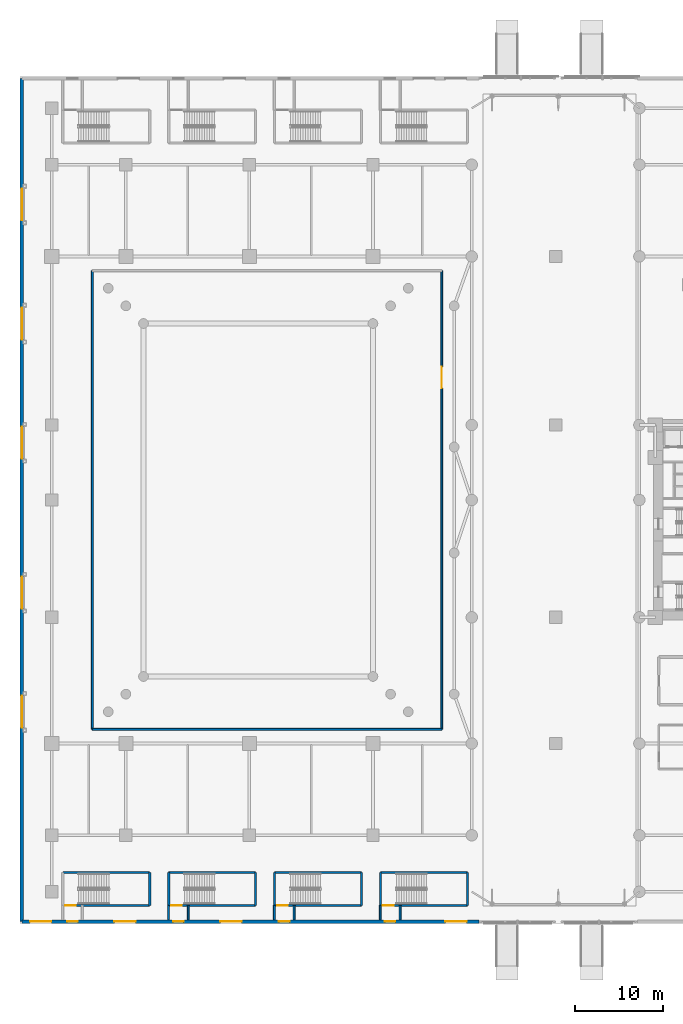
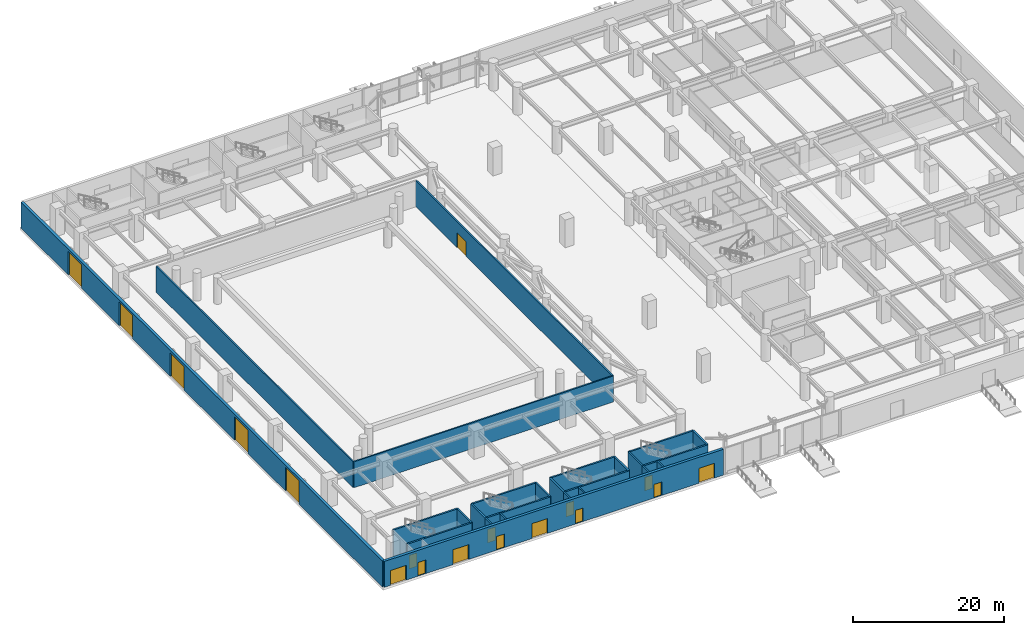
# One storey, part 21 of 42: 26 walls, 18 doors, 18 openings.
"""IFC4 building model written with IfcOpenShell, lengths in metres."""

from ifc_helpers import new_model, si_unit, direction, frame, frame_2d, origin, place, context, subcontext, project, spatial, rectangle, extrude, material, layer, layer_set, type_object, element, fill, save


model = new_model("IFC4")

# Units and contexts
model_context = context("Model", 3, precision=1e-05, world=origin(), true_north=direction((0.0, 1.0)))
body_context = subcontext(model_context, "Body", "Model", "MODEL_VIEW")
ifc_project = project(units=[si_unit("LENGTHUNIT", "METRE"), si_unit("AREAUNIT", "SQUARE_METRE"), si_unit("VOLUMEUNIT", "CUBIC_METRE"), si_unit("PLANEANGLEUNIT", "RADIAN"), si_unit("MASSUNIT", "GRAM", prefix="KILO")], contexts=[model_context])

# Site, building, storey
site_placement = place(None, origin())
site = spatial("IfcSite", under=ifc_project, at=site_placement, CompositionType="ELEMENT")
building_placement = place(site_placement, origin())
building = spatial("IfcBuilding", under=site, at=building_placement, Name="Narakoshi Arena Tower", CompositionType="ELEMENT")
storey_placement = place(building_placement, origin())
storey = spatial("IfcBuildingStorey", under=building, at=storey_placement, Name="L00", CompositionType="ELEMENT", Elevation=0.0)

# Wall
ifc_material_1 = material(Name="Concrete C40/50", Category="concrete")
ifc_layer_1 = layer(ifc_material_1, 0.219970703125)
ifc_layer_set_1 = layer_set([ifc_layer_1], Name="Concrete C40/50")
wall_type_1 = type_object("IfcWallType", Name="WL-COMP-220", PredefinedType="SOLIDWALL", material=ifc_layer_set_1)
wall_1_placement = place(storey_placement, frame((8.199951171875, 22.0, 0.0), z_axis=(0.0, 0.0, 1.0), x_axis=(1.0, 0.0, 0.0)))
element("IfcWall", 1, at=wall_1_placement, inside=storey, type_object=wall_type_1, Name="L00 Arena Grand Foyer Wall S", PredefinedType="SOLIDWALL", context=body_context, shape_type="SweptSolid", body=[
    extrude(rectangle(XDim=39.60009765625, YDim=0.219970703125, at=frame_2d((19.800048828125, 0.0))), origin(), (0.0, 0.0, 1.0), 4.179931640625),
])

# Wall, opening, door
wall_2_placement = place(storey_placement, frame((47.800048828125, 22.0, 0.0), z_axis=(0.0, 0.0, 1.0), x_axis=(0.0, 1.0, 0.0)))
wall_2 = element("IfcWall", 2, at=wall_2_placement, inside=storey, type_object=wall_type_1, Name="L00 Arena Grand Foyer Wall E", PredefinedType="SOLIDWALL", context=body_context, shape_type="SweptSolid", body=[
    extrude(rectangle(XDim=52.0, YDim=0.219970703125, at=frame_2d((26.0, 0.0))), origin(), (0.0, 0.0, 1.0), 4.179931640625),
])
opening_1_placement = place(wall_2_placement, frame((38.68798828125, 0.0, 0.0)))
opening_1 = element("IfcOpeningElement", 3, at=opening_1_placement, cuts=wall_2, Name="Opening D-02", PredefinedType="OPENING", context=body_context, shape_type="SweptSolid", body=[
    extrude(rectangle(XDim=2.39990234375, YDim=2.39990234375, at=frame_2d((1.199951171875, 1.199951171875))), frame((0.0, 0.119873046875, 0.0), z_axis=(0.0, -1.0, 0.0), x_axis=(1.0, 0.0, 0.0)), (0.0, 0.0, 1.0), 0.239990234375),
])
ifc_material_2 = material(Name="Painted galvanized steel", Category="steel")
door_type_1 = type_object("IfcDoorType", Name="DR-ARN-2400", OperationType="DOUBLE_DOOR_SINGLE_SWING", PredefinedType="USERDEFINED", material=ifc_material_2)
door_1_placement = place(opening_1_placement, frame((2.39990234375, 0.0, 0.0), z_axis=(0.0, 0.0, 1.0), x_axis=(-1.0, 0.0, 0.0)))
door_1 = element("IfcDoor", 4, at=door_1_placement, inside=storey, type_object=door_type_1, Name="DR-L00-056", ObjectType="EXITDOOR", OperationType="DOUBLE_DOOR_SINGLE_SWING", OverallHeight=2.39990234375, OverallWidth=2.39990234375, PredefinedType="USERDEFINED", context=body_context, shape_type="SweptSolid", body=[
    extrude(rectangle(XDim=2.39990234375, YDim=2.39990234375, at=frame_2d((1.199951171875, 1.199951171875))), frame((0.0, 0.02490234375, 0.0), z_axis=(0.0, -1.0, 0.0), x_axis=(1.0, 0.0, 0.0)), (0.0, 0.0, 1.0), 0.050048828125),
])
fill(opening_1, door_1)

# Wall
wall_3_placement = place(storey_placement, frame((8.199951171875, 74.0, 0.0), z_axis=(0.0, 0.0, 1.0), x_axis=(0.0, -1.0, 0.0)))
element("IfcWall", 5, at=wall_3_placement, inside=storey, type_object=wall_type_1, Name="L00 Arena Grand Foyer Wall W", PredefinedType="SOLIDWALL", context=body_context, shape_type="SweptSolid", body=[
    extrude(rectangle(XDim=52.0, YDim=0.219970703125, at=frame_2d((26.0, 0.0))), origin(), (0.0, 0.0, 1.0), 4.179931640625),
])

# Wall, openings, doors
ifc_material_3 = material(Name="Precast concrete C45/55", Category="concrete")
ifc_layer_2 = layer(ifc_material_3, 0.419921875)
ifc_layer_set_2 = layer_set([ifc_layer_2], Name="Precast concrete C45/55")
wall_type_2 = type_object("IfcWallType", Name="WL-POD-420", PredefinedType="SOLIDWALL", material=ifc_layer_set_2)
wall_4_placement = place(storey_placement, frame((0.2099609375, 0.2099609375, 0.0), z_axis=(0.0, 0.0, 1.0), x_axis=(1.0, 0.0, 0.0)))
wall_4 = element("IfcWall", 6, at=wall_4_placement, inside=storey, type_object=wall_type_2, Name="L00 Podium Precast Facade Wall SW", PredefinedType="SOLIDWALL", context=body_context, shape_type="SweptSolid", body=[
    extrude(rectangle(XDim=51.7900390625, YDim=0.419921875, at=frame_2d((25.89501953125, 0.0))), origin(), (0.0, 0.0, 1.0), 4.179931640625),
])
opening_2_placement = place(wall_4_placement, frame((0.949951171875, 0.0, 0.0)))
opening_2 = element("IfcOpeningElement", 7, at=opening_2_placement, cuts=wall_4, Name="Opening D-02", PredefinedType="OPENING", context=body_context, shape_type="SweptSolid", body=[
    extrude(rectangle(XDim=2.39990234375, YDim=2.39990234375, at=frame_2d((1.199951171875, 1.199951171875))), frame((0.0, 0.219970703125, 0.0), z_axis=(0.0, -1.0, 0.0), x_axis=(1.0, 0.0, 0.0)), (0.0, 0.0, 1.0), 0.43994140625),
])
opening_3_placement = place(wall_4_placement, frame((10.5, 0.0, 0.0)))
opening_3 = element("IfcOpeningElement", 8, at=opening_3_placement, cuts=wall_4, Name="Opening D-02", PredefinedType="OPENING", context=body_context, shape_type="SweptSolid", body=[
    extrude(rectangle(XDim=2.39990234375, YDim=2.39990234375, at=frame_2d((1.199951171875, 1.199951171875))), frame((0.0, 0.219970703125, 0.0), z_axis=(0.0, -1.0, 0.0), x_axis=(1.0, 0.0, 0.0)), (0.0, 0.0, 1.0), 0.43994140625),
])
opening_4_placement = place(wall_4_placement, frame((22.5, 0.0, 0.0)))
opening_4 = element("IfcOpeningElement", 9, at=opening_4_placement, cuts=wall_4, Name="Opening D-02", PredefinedType="OPENING", context=body_context, shape_type="SweptSolid", body=[
    extrude(rectangle(XDim=2.39990234375, YDim=2.39990234375, at=frame_2d((1.199951171875, 1.199951171875))), frame((0.0, 0.219970703125, 0.0), z_axis=(0.0, -1.0, 0.0), x_axis=(1.0, 0.0, 0.0)), (0.0, 0.0, 1.0), 0.43994140625),
])
opening_5_placement = place(wall_4_placement, frame((48.0, 0.0, 0.0)))
opening_5 = element("IfcOpeningElement", 10, at=opening_5_placement, cuts=wall_4, Name="Opening D-02", PredefinedType="OPENING", context=body_context, shape_type="SweptSolid", body=[
    extrude(rectangle(XDim=2.39990234375, YDim=2.39990234375, at=frame_2d((1.199951171875, 1.199951171875))), frame((0.0, 0.219970703125, 0.0), z_axis=(0.0, -1.0, 0.0), x_axis=(1.0, 0.0, 0.0)), (0.0, 0.0, 1.0), 0.43994140625),
])
opening_6_placement = place(wall_4_placement, frame((5.139892578125, 0.0, 0.0)))
opening_6 = element("IfcOpeningElement", 11, at=opening_6_placement, cuts=wall_4, Name="Opening D-03", PredefinedType="OPENING", context=body_context, shape_type="SweptSolid", body=[
    extrude(rectangle(XDim=1.199951171875, YDim=2.199951171875, at=frame_2d((0.60009765625, 1.10009765625))), frame((0.0, 0.219970703125, 0.0), z_axis=(0.0, -1.0, 0.0), x_axis=(1.0, 0.0, 0.0)), (0.0, 0.0, 1.0), 0.43994140625),
])
opening_7_placement = place(wall_4_placement, frame((17.139892578125, 0.0, 0.0)))
opening_7 = element("IfcOpeningElement", 12, at=opening_7_placement, cuts=wall_4, Name="Opening D-03", PredefinedType="OPENING", context=body_context, shape_type="SweptSolid", body=[
    extrude(rectangle(XDim=1.199951171875, YDim=2.199951171875, at=frame_2d((0.60009765625, 1.10009765625))), frame((0.0, 0.219970703125, 0.0), z_axis=(0.0, -1.0, 0.0), x_axis=(1.0, 0.0, 0.0)), (0.0, 0.0, 1.0), 0.43994140625),
])
opening_8_placement = place(wall_4_placement, frame((29.139892578125, 0.0, 0.0)))
opening_8 = element("IfcOpeningElement", 13, at=opening_8_placement, cuts=wall_4, Name="Opening D-03", PredefinedType="OPENING", context=body_context, shape_type="SweptSolid", body=[
    extrude(rectangle(XDim=1.199951171875, YDim=2.199951171875, at=frame_2d((0.60009765625, 1.10009765625))), frame((0.0, 0.219970703125, 0.0), z_axis=(0.0, -1.0, 0.0), x_axis=(1.0, 0.0, 0.0)), (0.0, 0.0, 1.0), 0.43994140625),
])
opening_9_placement = place(wall_4_placement, frame((41.139892578125, 0.0, 0.0)))
opening_9 = element("IfcOpeningElement", 14, at=opening_9_placement, cuts=wall_4, Name="Opening D-03", PredefinedType="OPENING", context=body_context, shape_type="SweptSolid", body=[
    extrude(rectangle(XDim=1.199951171875, YDim=2.199951171875, at=frame_2d((0.60009765625, 1.10009765625))), frame((0.0, 0.219970703125, 0.0), z_axis=(0.0, -1.0, 0.0), x_axis=(1.0, 0.0, 0.0)), (0.0, 0.0, 1.0), 0.43994140625),
])
door_2_placement = place(opening_2_placement, frame((2.39990234375, 0.0, 0.0), z_axis=(0.0, 0.0, 1.0), x_axis=(-1.0, 0.0, 0.0)))
door_2 = element("IfcDoor", 15, at=door_2_placement, inside=storey, type_object=door_type_1, Name="DR-L00-001", ObjectType="EXITDOOR", OperationType="DOUBLE_DOOR_SINGLE_SWING", OverallHeight=2.39990234375, OverallWidth=2.39990234375, PredefinedType="USERDEFINED", context=body_context, shape_type="SweptSolid", body=[
    extrude(rectangle(XDim=2.39990234375, YDim=2.39990234375, at=frame_2d((1.199951171875, 1.199951171875))), frame((0.0, 0.02490234375, 0.0), z_axis=(0.0, -1.0, 0.0), x_axis=(1.0, 0.0, 0.0)), (0.0, 0.0, 1.0), 0.050048828125),
])
fill(opening_2, door_2)
door_3_placement = place(opening_3_placement, frame((2.39990234375, 0.0, 0.0), z_axis=(0.0, 0.0, 1.0), x_axis=(-1.0, 0.0, 0.0)))
door_3 = element("IfcDoor", 16, at=door_3_placement, inside=storey, type_object=door_type_1, Name="DR-L00-002", ObjectType="EXITDOOR", OperationType="DOUBLE_DOOR_SINGLE_SWING", OverallHeight=2.39990234375, OverallWidth=2.39990234375, PredefinedType="USERDEFINED", context=body_context, shape_type="SweptSolid", body=[
    extrude(rectangle(XDim=2.39990234375, YDim=2.39990234375, at=frame_2d((1.199951171875, 1.199951171875))), frame((0.0, 0.02490234375, 0.0), z_axis=(0.0, -1.0, 0.0), x_axis=(1.0, 0.0, 0.0)), (0.0, 0.0, 1.0), 0.050048828125),
])
fill(opening_3, door_3)
door_4_placement = place(opening_4_placement, frame((2.39990234375, 0.0, 0.0), z_axis=(0.0, 0.0, 1.0), x_axis=(-1.0, 0.0, 0.0)))
door_4 = element("IfcDoor", 17, at=door_4_placement, inside=storey, type_object=door_type_1, Name="DR-L00-003", ObjectType="EXITDOOR", OperationType="DOUBLE_DOOR_SINGLE_SWING", OverallHeight=2.39990234375, OverallWidth=2.39990234375, PredefinedType="USERDEFINED", context=body_context, shape_type="SweptSolid", body=[
    extrude(rectangle(XDim=2.39990234375, YDim=2.39990234375, at=frame_2d((1.199951171875, 1.199951171875))), frame((0.0, 0.02490234375, 0.0), z_axis=(0.0, -1.0, 0.0), x_axis=(1.0, 0.0, 0.0)), (0.0, 0.0, 1.0), 0.050048828125),
])
fill(opening_4, door_4)
door_5_placement = place(opening_5_placement, frame((2.39990234375, 0.0, 0.0), z_axis=(0.0, 0.0, 1.0), x_axis=(-1.0, 0.0, 0.0)))
door_5 = element("IfcDoor", 18, at=door_5_placement, inside=storey, type_object=door_type_1, Name="DR-L00-004", ObjectType="EXITDOOR", OperationType="DOUBLE_DOOR_SINGLE_SWING", OverallHeight=2.39990234375, OverallWidth=2.39990234375, PredefinedType="USERDEFINED", context=body_context, shape_type="SweptSolid", body=[
    extrude(rectangle(XDim=2.39990234375, YDim=2.39990234375, at=frame_2d((1.199951171875, 1.199951171875))), frame((0.0, 0.02490234375, 0.0), z_axis=(0.0, -1.0, 0.0), x_axis=(1.0, 0.0, 0.0)), (0.0, 0.0, 1.0), 0.050048828125),
])
fill(opening_5, door_5)
door_type_2 = type_object("IfcDoorType", Name="DR-STR-1200", OperationType="NOTDEFINED", PredefinedType="USERDEFINED", material=ifc_material_2)
door_6_placement = place(opening_6_placement, frame((1.199951171875, 0.0, 0.0), z_axis=(0.0, 0.0, 1.0), x_axis=(-1.0, 0.0, 0.0)))
door_6 = element("IfcDoor", 19, at=door_6_placement, inside=storey, type_object=door_type_2, Name="DR-L00-009", ObjectType="EXITDOOR", OperationType="SINGLE_SWING_LEFT", OverallHeight=2.199951171875, OverallWidth=1.199951171875, PredefinedType="USERDEFINED", context=body_context, shape_type="SweptSolid", body=[
    extrude(rectangle(XDim=1.199951171875, YDim=2.199951171875, at=frame_2d((0.60009765625, 1.10009765625))), frame((0.0, 0.02490234375, 0.0), z_axis=(0.0, -1.0, 0.0), x_axis=(1.0, 0.0, 0.0)), (0.0, 0.0, 1.0), 0.050048828125),
])
fill(opening_6, door_6)
door_7_placement = place(opening_7_placement, frame((1.199951171875, 0.0, 0.0), z_axis=(0.0, 0.0, 1.0), x_axis=(-1.0, 0.0, 0.0)))
door_7 = element("IfcDoor", 20, at=door_7_placement, inside=storey, type_object=door_type_2, Name="DR-L00-010", ObjectType="EXITDOOR", OperationType="SINGLE_SWING_RIGHT", OverallHeight=2.199951171875, OverallWidth=1.199951171875, PredefinedType="USERDEFINED", context=body_context, shape_type="SweptSolid", body=[
    extrude(rectangle(XDim=1.199951171875, YDim=2.199951171875, at=frame_2d((0.60009765625, 1.10009765625))), frame((0.0, 0.02490234375, 0.0), z_axis=(0.0, -1.0, 0.0), x_axis=(1.0, 0.0, 0.0)), (0.0, 0.0, 1.0), 0.050048828125),
])
fill(opening_7, door_7)
door_8_placement = place(opening_8_placement, frame((1.199951171875, 0.0, 0.0), z_axis=(0.0, 0.0, 1.0), x_axis=(-1.0, 0.0, 0.0)))
door_8 = element("IfcDoor", 21, at=door_8_placement, inside=storey, type_object=door_type_2, Name="DR-L00-011", ObjectType="EXITDOOR", OperationType="SINGLE_SWING_LEFT", OverallHeight=2.199951171875, OverallWidth=1.199951171875, PredefinedType="USERDEFINED", context=body_context, shape_type="SweptSolid", body=[
    extrude(rectangle(XDim=1.199951171875, YDim=2.199951171875, at=frame_2d((0.60009765625, 1.10009765625))), frame((0.0, 0.02490234375, 0.0), z_axis=(0.0, -1.0, 0.0), x_axis=(1.0, 0.0, 0.0)), (0.0, 0.0, 1.0), 0.050048828125),
])
fill(opening_8, door_8)
door_9_placement = place(opening_9_placement, frame((1.199951171875, 0.0, 0.0), z_axis=(0.0, 0.0, 1.0), x_axis=(-1.0, 0.0, 0.0)))
door_9 = element("IfcDoor", 22, at=door_9_placement, inside=storey, type_object=door_type_2, Name="DR-L00-012", ObjectType="EXITDOOR", OperationType="SINGLE_SWING_RIGHT", OverallHeight=2.199951171875, OverallWidth=1.199951171875, PredefinedType="USERDEFINED", context=body_context, shape_type="SweptSolid", body=[
    extrude(rectangle(XDim=1.199951171875, YDim=2.199951171875, at=frame_2d((0.60009765625, 1.10009765625))), frame((0.0, 0.02490234375, 0.0), z_axis=(0.0, -1.0, 0.0), x_axis=(1.0, 0.0, 0.0)), (0.0, 0.0, 1.0), 0.050048828125),
])
fill(opening_9, door_9)

wall_5_placement = place(storey_placement, frame((0.2099609375, 95.7900390625, 0.0), z_axis=(0.0, 0.0, 1.0), x_axis=(0.0, -1.0, 0.0)))
wall_5 = element("IfcWall", 23, at=wall_5_placement, inside=storey, type_object=wall_type_2, Name="L00 Podium Precast Facade Wall W", PredefinedType="SOLIDWALL", context=body_context, shape_type="SweptSolid", body=[
    extrude(rectangle(XDim=95.580078125, YDim=0.419921875, at=frame_2d((47.7900390625, 0.0))), origin(), (0.0, 0.0, 1.0), 4.179931640625),
])
opening_10_placement = place(wall_5_placement, frame((12.5, 0.0, 0.0)))
opening_10 = element("IfcOpeningElement", 24, at=opening_10_placement, cuts=wall_5, Name="Opening D-14", PredefinedType="OPENING", context=body_context, shape_type="SweptSolid", body=[
    extrude(rectangle(XDim=3.60009765625, YDim=3.800048828125, at=frame_2d((1.800048828125, 1.89990234375))), frame((0.0, 0.219970703125, 0.0), z_axis=(0.0, -1.0, 0.0), x_axis=(1.0, 0.0, 0.0)), (0.0, 0.0, 1.0), 0.43994140625),
])
opening_11_placement = place(wall_5_placement, frame((26.0, 0.0, 0.0)))
opening_11 = element("IfcOpeningElement", 25, at=opening_11_placement, cuts=wall_5, Name="Opening D-14", PredefinedType="OPENING", context=body_context, shape_type="SweptSolid", body=[
    extrude(rectangle(XDim=3.60009765625, YDim=3.800048828125, at=frame_2d((1.800048828125, 1.89990234375))), frame((0.0, 0.219970703125, 0.0), z_axis=(0.0, -1.0, 0.0), x_axis=(1.0, 0.0, 0.0)), (0.0, 0.0, 1.0), 0.43994140625),
])
opening_12_placement = place(wall_5_placement, frame((39.5, 0.0, 0.0)))
opening_12 = element("IfcOpeningElement", 26, at=opening_12_placement, cuts=wall_5, Name="Opening D-14", PredefinedType="OPENING", context=body_context, shape_type="SweptSolid", body=[
    extrude(rectangle(XDim=3.60009765625, YDim=3.800048828125, at=frame_2d((1.800048828125, 1.89990234375))), frame((0.0, 0.219970703125, 0.0), z_axis=(0.0, -1.0, 0.0), x_axis=(1.0, 0.0, 0.0)), (0.0, 0.0, 1.0), 0.43994140625),
])
opening_13_placement = place(wall_5_placement, frame((56.5, 0.0, 0.0)))
opening_13 = element("IfcOpeningElement", 27, at=opening_13_placement, cuts=wall_5, Name="Opening D-14", PredefinedType="OPENING", context=body_context, shape_type="SweptSolid", body=[
    extrude(rectangle(XDim=3.60009765625, YDim=3.800048828125, at=frame_2d((1.800048828125, 1.89990234375))), frame((0.0, 0.219970703125, 0.0), z_axis=(0.0, -1.0, 0.0), x_axis=(1.0, 0.0, 0.0)), (0.0, 0.0, 1.0), 0.43994140625),
])
opening_14_placement = place(wall_5_placement, frame((70.0, 0.0, 0.0)))
opening_14 = element("IfcOpeningElement", 28, at=opening_14_placement, cuts=wall_5, Name="Opening D-14", PredefinedType="OPENING", context=body_context, shape_type="SweptSolid", body=[
    extrude(rectangle(XDim=3.60009765625, YDim=3.800048828125, at=frame_2d((1.800048828125, 1.89990234375))), frame((0.0, 0.219970703125, 0.0), z_axis=(0.0, -1.0, 0.0), x_axis=(1.0, 0.0, 0.0)), (0.0, 0.0, 1.0), 0.43994140625),
])
door_type_3 = type_object("IfcDoorType", Name="DR-SRV-3600", OperationType="ROLLINGUP", PredefinedType="GATE", material=ifc_material_2)
door_10_placement = place(opening_10_placement, frame((3.60009765625, 0.0, 0.0), z_axis=(0.0, 0.0, 1.0), x_axis=(-1.0, 0.0, 0.0)))
door_10 = element("IfcDoor", 29, at=door_10_placement, inside=storey, type_object=door_type_3, Name="DR-L00-023", OperationType="ROLLINGUP", OverallHeight=3.800048828125, OverallWidth=3.60009765625, PredefinedType="GATE", context=body_context, shape_type="SweptSolid", body=[
    extrude(rectangle(XDim=3.60009765625, YDim=3.800048828125, at=frame_2d((1.800048828125, 1.89990234375))), frame((0.0, 0.02490234375, 0.0), z_axis=(0.0, -1.0, 0.0), x_axis=(1.0, 0.0, 0.0)), (0.0, 0.0, 1.0), 0.050048828125),
])
fill(opening_10, door_10)
door_11_placement = place(opening_11_placement, frame((3.60009765625, 0.0, 0.0), z_axis=(0.0, 0.0, 1.0), x_axis=(-1.0, 0.0, 0.0)))
door_11 = element("IfcDoor", 30, at=door_11_placement, inside=storey, type_object=door_type_3, Name="DR-L00-024", OperationType="ROLLINGUP", OverallHeight=3.800048828125, OverallWidth=3.60009765625, PredefinedType="GATE", context=body_context, shape_type="SweptSolid", body=[
    extrude(rectangle(XDim=3.60009765625, YDim=3.800048828125, at=frame_2d((1.800048828125, 1.89990234375))), frame((0.0, 0.02490234375, 0.0), z_axis=(0.0, -1.0, 0.0), x_axis=(1.0, 0.0, 0.0)), (0.0, 0.0, 1.0), 0.050048828125),
])
fill(opening_11, door_11)
door_12_placement = place(opening_12_placement, frame((3.60009765625, 0.0, 0.0), z_axis=(0.0, 0.0, 1.0), x_axis=(-1.0, 0.0, 0.0)))
door_12 = element("IfcDoor", 31, at=door_12_placement, inside=storey, type_object=door_type_3, Name="DR-L00-025", OperationType="ROLLINGUP", OverallHeight=3.800048828125, OverallWidth=3.60009765625, PredefinedType="GATE", context=body_context, shape_type="SweptSolid", body=[
    extrude(rectangle(XDim=3.60009765625, YDim=3.800048828125, at=frame_2d((1.800048828125, 1.89990234375))), frame((0.0, 0.02490234375, 0.0), z_axis=(0.0, -1.0, 0.0), x_axis=(1.0, 0.0, 0.0)), (0.0, 0.0, 1.0), 0.050048828125),
])
fill(opening_12, door_12)
door_13_placement = place(opening_13_placement, frame((3.60009765625, 0.0, 0.0), z_axis=(0.0, 0.0, 1.0), x_axis=(-1.0, 0.0, 0.0)))
door_13 = element("IfcDoor", 32, at=door_13_placement, inside=storey, type_object=door_type_3, Name="DR-L00-026", OperationType="ROLLINGUP", OverallHeight=3.800048828125, OverallWidth=3.60009765625, PredefinedType="GATE", context=body_context, shape_type="SweptSolid", body=[
    extrude(rectangle(XDim=3.60009765625, YDim=3.800048828125, at=frame_2d((1.800048828125, 1.89990234375))), frame((0.0, 0.02490234375, 0.0), z_axis=(0.0, -1.0, 0.0), x_axis=(1.0, 0.0, 0.0)), (0.0, 0.0, 1.0), 0.050048828125),
])
fill(opening_13, door_13)
door_14_placement = place(opening_14_placement, frame((3.60009765625, 0.0, 0.0), z_axis=(0.0, 0.0, 1.0), x_axis=(-1.0, 0.0, 0.0)))
door_14 = element("IfcDoor", 33, at=door_14_placement, inside=storey, type_object=door_type_3, Name="DR-L00-027", OperationType="ROLLINGUP", OverallHeight=3.800048828125, OverallWidth=3.60009765625, PredefinedType="GATE", context=body_context, shape_type="SweptSolid", body=[
    extrude(rectangle(XDim=3.60009765625, YDim=3.800048828125, at=frame_2d((1.800048828125, 1.89990234375))), frame((0.0, 0.02490234375, 0.0), z_axis=(0.0, -1.0, 0.0), x_axis=(1.0, 0.0, 0.0)), (0.0, 0.0, 1.0), 0.050048828125),
])
fill(opening_14, door_14)

# Wall
ifc_material_4 = material(Name="Concrete C50/60", Category="concrete")
ifc_layer_3 = layer(ifc_material_4, 0.35009765625)
ifc_layer_set_3 = layer_set([ifc_layer_3], Name="Concrete C50/60")
wall_type_3 = type_object("IfcWallType", Name="WL-SHAFT-350", PredefinedType="SOLIDWALL", material=ifc_layer_set_3)
wall_6_placement = place(storey_placement, frame((14.699951171875, 2.050048828125, -0.39990234375), z_axis=(0.0, 0.0, 1.0), x_axis=(0.0, 1.0, 0.0)))
element("IfcWall", 34, at=wall_6_placement, inside=storey, type_object=wall_type_3, Name="L00 AST1 Enclosure Wall E", PredefinedType="SOLIDWALL", context=body_context, shape_type="SweptSolid", body=[
    extrude(rectangle(XDim=3.75, YDim=0.25, at=frame_2d((1.875, 0.0))), origin(), (0.0, 0.0, 1.0), 4.579833984375),
])

# Wall, opening, door
wall_7_placement = place(storey_placement, frame((4.85009765625, 2.050048828125, -0.39990234375), z_axis=(0.0, 0.0, 1.0), x_axis=(1.0, 0.0, 0.0)))
wall_7 = element("IfcWall", 35, at=wall_7_placement, inside=storey, type_object=wall_type_3, Name="L00 AST1 Enclosure Wall B", PredefinedType="SOLIDWALL", context=body_context, shape_type="SweptSolid", body=[
    extrude(rectangle(XDim=9.849853515625, YDim=0.25, at=frame_2d((4.9248046875, 0.0))), origin(), (0.0, 0.0, 1.0), 4.579833984375),
])
opening_15_placement = place(wall_7_placement, frame((0.280029296875, 0.0, 0.39990234375)))
opening_15 = element("IfcOpeningElement", 36, at=opening_15_placement, cuts=wall_7, Name="Opening D-03", PredefinedType="OPENING", context=body_context, shape_type="SweptSolid", body=[
    extrude(rectangle(XDim=1.199951171875, YDim=2.199951171875, at=frame_2d((0.60009765625, 1.10009765625))), frame((0.0, 0.135009765625, 0.0), z_axis=(0.0, -1.0, 0.0), x_axis=(1.0, 0.0, 0.0)), (0.0, 0.0, 1.0), 0.27001953125),
])
door_15_placement = place(opening_15_placement, frame((1.199951171875, 0.0, 0.0), z_axis=(0.0, 0.0, 1.0), x_axis=(-1.0, 0.0, 0.0)))
door_15 = element("IfcDoor", 37, at=door_15_placement, inside=storey, type_object=door_type_2, Name="DR-L00-048", ObjectType="EXITDOOR", OperationType="SINGLE_SWING_LEFT", OverallHeight=2.199951171875, OverallWidth=1.199951171875, PredefinedType="USERDEFINED", context=body_context, shape_type="SweptSolid", body=[
    extrude(rectangle(XDim=1.199951171875, YDim=2.199951171875, at=frame_2d((0.60009765625, 1.10009765625))), frame((0.0, 0.02490234375, 0.0), z_axis=(0.0, -1.0, 0.0), x_axis=(1.0, 0.0, 0.0)), (0.0, 0.0, 1.0), 0.050048828125),
])
fill(opening_15, door_15)

# Walls
wall_8_placement = place(storey_placement, frame((4.85009765625, 5.800048828125, -0.39990234375), z_axis=(0.0, 0.0, 1.0), x_axis=(1.0, 0.0, 0.0)))
element("IfcWall", 38, at=wall_8_placement, inside=storey, type_object=wall_type_3, Name="L00 AST1 Landing Door Wall", PredefinedType="SOLIDWALL", context=body_context, shape_type="SweptSolid", body=[
    extrude(rectangle(XDim=9.849853515625, YDim=0.25, at=frame_2d((4.9248046875, 0.0))), origin(), (0.0, 0.0, 1.0), 4.579833984375),
])
for number, where, z_axis, x_axis, name in (
    (39, (16.85009765625, 2.050048828125, -0.39990234375), (0.0, 0.0, 1.0), (0.0, 1.0, 0.0), "L00 AST2 Enclosure Wall W"),
    (40, (26.699951171875, 2.050048828125, -0.39990234375), (0.0, 0.0, 1.0), (0.0, 1.0, 0.0), "L00 AST2 Enclosure Wall E"),
):
    element("IfcWall", number, at=place(storey_placement, frame(where, z_axis=z_axis, x_axis=x_axis)), inside=storey, type_object=wall_type_3, Name=name, PredefinedType="SOLIDWALL", context=body_context, shape_type="SweptSolid", body=[
        extrude(rectangle(XDim=3.75, YDim=0.25, at=frame_2d((1.875, 0.0))), origin(), (0.0, 0.0, 1.0), 4.579833984375),
    ])

# Wall, opening, door
wall_9_placement = place(storey_placement, frame((16.85009765625, 2.050048828125, -0.39990234375), z_axis=(0.0, 0.0, 1.0), x_axis=(1.0, 0.0, 0.0)))
wall_9 = element("IfcWall", 41, at=wall_9_placement, inside=storey, type_object=wall_type_3, Name="L00 AST2 Enclosure Wall B", PredefinedType="SOLIDWALL", context=body_context, shape_type="SweptSolid", body=[
    extrude(rectangle(XDim=9.849853515625, YDim=0.25, at=frame_2d((4.9248046875, 0.0))), origin(), (0.0, 0.0, 1.0), 4.579833984375),
])
opening_16_placement = place(wall_9_placement, frame((0.280029296875, 0.0, 0.39990234375)))
opening_16 = element("IfcOpeningElement", 42, at=opening_16_placement, cuts=wall_9, Name="Opening D-03", PredefinedType="OPENING", context=body_context, shape_type="SweptSolid", body=[
    extrude(rectangle(XDim=1.199951171875, YDim=2.199951171875, at=frame_2d((0.60009765625, 1.10009765625))), frame((0.0, 0.135009765625, 0.0), z_axis=(0.0, -1.0, 0.0), x_axis=(1.0, 0.0, 0.0)), (0.0, 0.0, 1.0), 0.27001953125),
])
door_16_placement = place(opening_16_placement, frame((1.199951171875, 0.0, 0.0), z_axis=(0.0, 0.0, 1.0), x_axis=(-1.0, 0.0, 0.0)))
door_16 = element("IfcDoor", 43, at=door_16_placement, inside=storey, type_object=door_type_2, Name="DR-L00-049", ObjectType="EXITDOOR", OperationType="SINGLE_SWING_RIGHT", OverallHeight=2.199951171875, OverallWidth=1.199951171875, PredefinedType="USERDEFINED", context=body_context, shape_type="SweptSolid", body=[
    extrude(rectangle(XDim=1.199951171875, YDim=2.199951171875, at=frame_2d((0.60009765625, 1.10009765625))), frame((0.0, 0.02490234375, 0.0), z_axis=(0.0, -1.0, 0.0), x_axis=(1.0, 0.0, 0.0)), (0.0, 0.0, 1.0), 0.050048828125),
])
fill(opening_16, door_16)

# Walls
wall_10_placement = place(storey_placement, frame((16.85009765625, 5.800048828125, -0.39990234375), z_axis=(0.0, 0.0, 1.0), x_axis=(1.0, 0.0, 0.0)))
element("IfcWall", 44, at=wall_10_placement, inside=storey, type_object=wall_type_3, Name="L00 AST2 Landing Door Wall", PredefinedType="SOLIDWALL", context=body_context, shape_type="SweptSolid", body=[
    extrude(rectangle(XDim=9.849853515625, YDim=0.25, at=frame_2d((4.9248046875, 0.0))), origin(), (0.0, 0.0, 1.0), 4.579833984375),
])
for number, where, z_axis, x_axis, name in (
    (45, (16.830078125, 0.419921875, 0.0), (0.0, 0.0, 1.0), (0.0, 1.0, 0.0), "L00 Protected Exit Passageway AST2 Wall W"),
    (46, (19.070068359375, 0.419921875, 0.0), (0.0, 0.0, 1.0), (0.0, 1.0, 0.0), "L00 Protected Exit Passageway AST2 Wall E"),
):
    element("IfcWall", number, at=place(storey_placement, frame(where, z_axis=z_axis, x_axis=x_axis)), inside=storey, type_object=wall_type_3, Name=name, PredefinedType="SOLIDWALL", context=body_context, shape_type="SweptSolid", body=[
        extrude(rectangle(XDim=1.630126953125, YDim=0.219970703125, at=frame_2d((0.81494140625, 0.0))), origin(), (0.0, 0.0, 1.0), 4.179931640625),
    ])
for number, where, z_axis, x_axis, name in (
    (47, (28.85009765625, 2.050048828125, -0.39990234375), (0.0, 0.0, 1.0), (0.0, 1.0, 0.0), "L00 AST3 Enclosure Wall W"),
    (48, (38.699951171875, 2.050048828125, -0.39990234375), (0.0, 0.0, 1.0), (0.0, 1.0, 0.0), "L00 AST3 Enclosure Wall E"),
):
    element("IfcWall", number, at=place(storey_placement, frame(where, z_axis=z_axis, x_axis=x_axis)), inside=storey, type_object=wall_type_3, Name=name, PredefinedType="SOLIDWALL", context=body_context, shape_type="SweptSolid", body=[
        extrude(rectangle(XDim=3.75, YDim=0.25, at=frame_2d((1.875, 0.0))), origin(), (0.0, 0.0, 1.0), 4.579833984375),
    ])

# Wall, opening, door
wall_11_placement = place(storey_placement, frame((28.85009765625, 2.050048828125, -0.39990234375), z_axis=(0.0, 0.0, 1.0), x_axis=(1.0, 0.0, 0.0)))
wall_11 = element("IfcWall", 49, at=wall_11_placement, inside=storey, type_object=wall_type_3, Name="L00 AST3 Enclosure Wall B", PredefinedType="SOLIDWALL", context=body_context, shape_type="SweptSolid", body=[
    extrude(rectangle(XDim=9.849853515625, YDim=0.25, at=frame_2d((4.9248046875, 0.0))), origin(), (0.0, 0.0, 1.0), 4.579833984375),
])
opening_17_placement = place(wall_11_placement, frame((0.280029296875, 0.0, 0.39990234375)))
opening_17 = element("IfcOpeningElement", 50, at=opening_17_placement, cuts=wall_11, Name="Opening D-03", PredefinedType="OPENING", context=body_context, shape_type="SweptSolid", body=[
    extrude(rectangle(XDim=1.199951171875, YDim=2.199951171875, at=frame_2d((0.60009765625, 1.10009765625))), frame((0.0, 0.135009765625, 0.0), z_axis=(0.0, -1.0, 0.0), x_axis=(1.0, 0.0, 0.0)), (0.0, 0.0, 1.0), 0.27001953125),
])
door_17_placement = place(opening_17_placement, frame((1.199951171875, 0.0, 0.0), z_axis=(0.0, 0.0, 1.0), x_axis=(-1.0, 0.0, 0.0)))
door_17 = element("IfcDoor", 51, at=door_17_placement, inside=storey, type_object=door_type_2, Name="DR-L00-050", ObjectType="EXITDOOR", OperationType="SINGLE_SWING_LEFT", OverallHeight=2.199951171875, OverallWidth=1.199951171875, PredefinedType="USERDEFINED", context=body_context, shape_type="SweptSolid", body=[
    extrude(rectangle(XDim=1.199951171875, YDim=2.199951171875, at=frame_2d((0.60009765625, 1.10009765625))), frame((0.0, 0.02490234375, 0.0), z_axis=(0.0, -1.0, 0.0), x_axis=(1.0, 0.0, 0.0)), (0.0, 0.0, 1.0), 0.050048828125),
])
fill(opening_17, door_17)

# Walls
wall_12_placement = place(storey_placement, frame((28.85009765625, 5.800048828125, -0.39990234375), z_axis=(0.0, 0.0, 1.0), x_axis=(1.0, 0.0, 0.0)))
element("IfcWall", 52, at=wall_12_placement, inside=storey, type_object=wall_type_3, Name="L00 AST3 Landing Door Wall", PredefinedType="SOLIDWALL", context=body_context, shape_type="SweptSolid", body=[
    extrude(rectangle(XDim=9.849853515625, YDim=0.25, at=frame_2d((4.9248046875, 0.0))), origin(), (0.0, 0.0, 1.0), 4.579833984375),
])
for number, where, z_axis, x_axis, name in (
    (53, (28.830078125, 0.419921875, 0.0), (0.0, 0.0, 1.0), (0.0, 1.0, 0.0), "L00 Protected Exit Passageway AST3 Wall W"),
    (54, (31.070068359375, 0.419921875, 0.0), (0.0, 0.0, 1.0), (0.0, 1.0, 0.0), "L00 Protected Exit Passageway AST3 Wall E"),
):
    element("IfcWall", number, at=place(storey_placement, frame(where, z_axis=z_axis, x_axis=x_axis)), inside=storey, type_object=wall_type_3, Name=name, PredefinedType="SOLIDWALL", context=body_context, shape_type="SweptSolid", body=[
        extrude(rectangle(XDim=1.630126953125, YDim=0.219970703125, at=frame_2d((0.81494140625, 0.0))), origin(), (0.0, 0.0, 1.0), 4.179931640625),
    ])
for number, where, z_axis, x_axis, name in (
    (55, (40.85009765625, 2.050048828125, -0.39990234375), (0.0, 0.0, 1.0), (0.0, 1.0, 0.0), "L00 AST4 Enclosure Wall W"),
    (56, (50.699951171875, 2.050048828125, -0.39990234375), (0.0, 0.0, 1.0), (0.0, 1.0, 0.0), "L00 AST4 Enclosure Wall E"),
):
    element("IfcWall", number, at=place(storey_placement, frame(where, z_axis=z_axis, x_axis=x_axis)), inside=storey, type_object=wall_type_3, Name=name, PredefinedType="SOLIDWALL", context=body_context, shape_type="SweptSolid", body=[
        extrude(rectangle(XDim=3.75, YDim=0.25, at=frame_2d((1.875, 0.0))), origin(), (0.0, 0.0, 1.0), 4.579833984375),
    ])

# Wall, opening, door
wall_13_placement = place(storey_placement, frame((40.85009765625, 2.050048828125, -0.39990234375), z_axis=(0.0, 0.0, 1.0), x_axis=(1.0, 0.0, 0.0)))
wall_13 = element("IfcWall", 57, at=wall_13_placement, inside=storey, type_object=wall_type_3, Name="L00 AST4 Enclosure Wall B", PredefinedType="SOLIDWALL", context=body_context, shape_type="SweptSolid", body=[
    extrude(rectangle(XDim=9.849853515625, YDim=0.25, at=frame_2d((4.9248046875, 0.0))), origin(), (0.0, 0.0, 1.0), 4.579833984375),
])
opening_18_placement = place(wall_13_placement, frame((0.280029296875, 0.0, 0.39990234375)))
opening_18 = element("IfcOpeningElement", 58, at=opening_18_placement, cuts=wall_13, Name="Opening D-03", PredefinedType="OPENING", context=body_context, shape_type="SweptSolid", body=[
    extrude(rectangle(XDim=1.199951171875, YDim=2.199951171875, at=frame_2d((0.60009765625, 1.10009765625))), frame((0.0, 0.135009765625, 0.0), z_axis=(0.0, -1.0, 0.0), x_axis=(1.0, 0.0, 0.0)), (0.0, 0.0, 1.0), 0.27001953125),
])
door_18_placement = place(opening_18_placement, frame((1.199951171875, 0.0, 0.0), z_axis=(0.0, 0.0, 1.0), x_axis=(-1.0, 0.0, 0.0)))
door_18 = element("IfcDoor", 59, at=door_18_placement, inside=storey, type_object=door_type_2, Name="DR-L00-051", ObjectType="EXITDOOR", OperationType="SINGLE_SWING_RIGHT", OverallHeight=2.199951171875, OverallWidth=1.199951171875, PredefinedType="USERDEFINED", context=body_context, shape_type="SweptSolid", body=[
    extrude(rectangle(XDim=1.199951171875, YDim=2.199951171875, at=frame_2d((0.60009765625, 1.10009765625))), frame((0.0, 0.02490234375, 0.0), z_axis=(0.0, -1.0, 0.0), x_axis=(1.0, 0.0, 0.0)), (0.0, 0.0, 1.0), 0.050048828125),
])
fill(opening_18, door_18)

# Walls
wall_14_placement = place(storey_placement, frame((40.85009765625, 5.800048828125, -0.39990234375), z_axis=(0.0, 0.0, 1.0), x_axis=(1.0, 0.0, 0.0)))
element("IfcWall", 60, at=wall_14_placement, inside=storey, type_object=wall_type_3, Name="L00 AST4 Landing Door Wall", PredefinedType="SOLIDWALL", context=body_context, shape_type="SweptSolid", body=[
    extrude(rectangle(XDim=9.849853515625, YDim=0.25, at=frame_2d((4.9248046875, 0.0))), origin(), (0.0, 0.0, 1.0), 4.579833984375),
])
for number, where, z_axis, x_axis, name in (
    (61, (40.830078125, 0.419921875, 0.0), (0.0, 0.0, 1.0), (0.0, 1.0, 0.0), "L00 Protected Exit Passageway AST4 Wall W"),
    (62, (43.070068359375, 0.419921875, 0.0), (0.0, 0.0, 1.0), (0.0, 1.0, 0.0), "L00 Protected Exit Passageway AST4 Wall E"),
):
    element("IfcWall", number, at=place(storey_placement, frame(where, z_axis=z_axis, x_axis=x_axis)), inside=storey, type_object=wall_type_3, Name=name, PredefinedType="SOLIDWALL", context=body_context, shape_type="SweptSolid", body=[
        extrude(rectangle(XDim=1.630126953125, YDim=0.219970703125, at=frame_2d((0.81494140625, 0.0))), origin(), (0.0, 0.0, 1.0), 4.179931640625),
    ])

save(model, "model.ifc")
